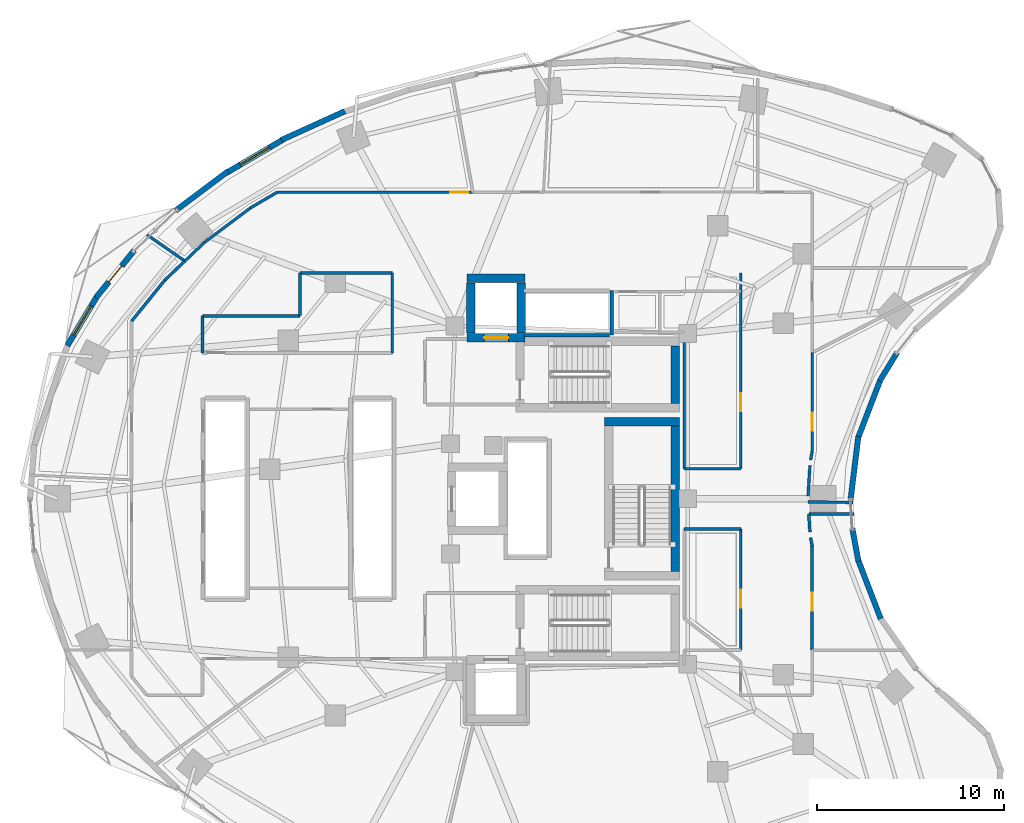
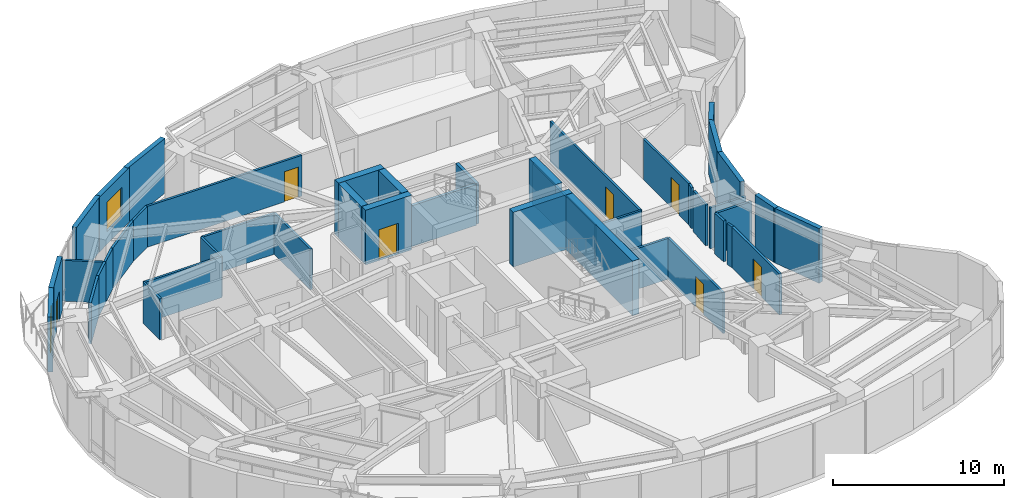
# One storey, part 10 of 15: 44 walls, 7 doors, 2 windows, 9 openings.
"""IFC4 building model written with IfcOpenShell, lengths in metres."""

from ifc_helpers import new_model, si_unit, direction, frame, frame_2d, origin, place, context, subcontext, project, spatial, rectangle, extrude, material, layer, layer_set, type_object, element, fill, save


model = new_model("IFC4")

# Units and contexts
model_context = context("Model", 3, precision=1e-05, world=origin(), true_north=direction((0.0, 1.0)))
body_context = subcontext(model_context, "Body", "Model", "MODEL_VIEW")
ifc_project = project(units=[si_unit("LENGTHUNIT", "METRE"), si_unit("AREAUNIT", "SQUARE_METRE"), si_unit("VOLUMEUNIT", "CUBIC_METRE"), si_unit("PLANEANGLEUNIT", "RADIAN"), si_unit("MASSUNIT", "GRAM", prefix="KILO")], contexts=[model_context])

# Site, building, storey
site_placement = place(None, origin())
site = spatial("IfcSite", under=ifc_project, at=site_placement, CompositionType="ELEMENT")
building_placement = place(site_placement, origin())
building = spatial("IfcBuilding", under=site, at=building_placement, Name="Korentha Bioscience Tower", CompositionType="ELEMENT")
storey_placement = place(building_placement, frame((0.0, 0.0, 30.0)))
storey = spatial("IfcBuildingStorey", under=building, at=storey_placement, Name="L06", CompositionType="ELEMENT", Elevation=30.0)

# Wall, opening, door
ifc_material_1 = material(Name="Double-Stud Acoustic Gypsum", Category="gypsum")
ifc_layer_1 = layer(ifc_material_1, 0.14990234375, Name="Double-Stud Acoustic Gypsum")
ifc_layer_set_1 = layer_set([ifc_layer_1], Name="Double-Stud Acoustic Gypsum (IW-L150)")
wall_type_1 = type_object("IfcWallType", Name="Acoustic Laboratory Partition Wall 150", PredefinedType="PARTITIONING", material=ifc_layer_set_1)
wall_1_placement = place(storey_placement, frame((40.389892578125, 25.389892578125, 0.0), z_axis=(0.0, 0.0, 1.0), x_axis=(0.0, -1.0, 0.0)))
wall_1 = element("IfcWall", 1, at=wall_1_placement, inside=storey, type_object=wall_type_1, Name="L06 Terrace View Refreshment Lounge 06 Entrance Wall", PredefinedType="PARTITIONING", context=body_context, shape_type="SweptSolid", body=[
    extrude(rectangle(XDim=6.48779296875, YDim=0.14990234375, at=frame_2d((3.243896484375, 0.0))), origin(), (0.0, 0.0, 1.0), 2.909912109375),
])
opening_1_placement = place(wall_1_placement, frame((3.265380859375, 0.0, 0.0)))
opening_1 = element("IfcOpeningElement", 2, at=opening_1_placement, cuts=wall_1, Name="Opening ID-10R", PredefinedType="OPENING", context=body_context, shape_type="SweptSolid", body=[
    extrude(rectangle(XDim=0.949951171875, YDim=2.14990234375, at=frame_2d((0.47509765625, 1.074951171875))), frame((0.0, 0.08984375, 0.0), z_axis=(0.0, -1.0, 0.0), x_axis=(1.0, 0.0, 0.0)), (0.0, 0.0, 1.0), 0.1796875),
])
ifc_material_2 = material(Name="Phenolic Laminate Timber Core", Category="wood")
door_type_1 = type_object("IfcDoorType", Name="Laboratory Single Leaf Door 950x2150 Right", OperationType="SINGLE_SWING_RIGHT", PredefinedType="DOOR", material=ifc_material_2)
door_1_placement = place(opening_1_placement, origin())
door_1 = element("IfcDoor", 3, at=door_1_placement, inside=storey, type_object=door_type_1, Name="L06 Terrace View Refreshment Lounge 06 Door", OperationType="SINGLE_SWING_RIGHT", OverallHeight=2.14990234375, OverallWidth=0.949951171875, PredefinedType="DOOR", context=body_context, shape_type="SweptSolid", body=[
    extrude(rectangle(XDim=0.949951171875, YDim=2.14990234375, at=frame_2d((0.47509765625, 1.074951171875))), frame((0.0, 0.02490234375, 0.0), z_axis=(0.0, -1.0, 0.0), x_axis=(1.0, 0.0, 0.0)), (0.0, 0.0, 1.0), 0.050048828125),
])
fill(opening_1, door_1)

wall_2_placement = place(storey_placement, frame((44.2099609375, 29.529541015625, 0.0), z_axis=(0.0, 0.0, 1.0), x_axis=(0.0, 1.0, 0.0)))
wall_2 = element("IfcWall", 4, at=wall_2_placement, inside=storey, type_object=wall_type_1, Name="L06 Engineered Bio-Foundry Wet Lab 08 Entrance Wall", PredefinedType="PARTITIONING", context=body_context, shape_type="SweptSolid", body=[
    extrude(rectangle(XDim=5.2890625, YDim=0.14990234375, at=frame_2d((2.64453125, 0.0))), origin(), (0.0, 0.0, 1.0), 2.909912109375),
])
opening_2_placement = place(wall_2_placement, frame((1.11865234375, 0.0, 0.0)))
opening_2 = element("IfcOpeningElement", 5, at=opening_2_placement, cuts=wall_2, Name="Opening ID-10R", PredefinedType="OPENING", context=body_context, shape_type="SweptSolid", body=[
    extrude(rectangle(XDim=0.949951171875, YDim=2.14990234375, at=frame_2d((0.47509765625, 1.074951171875))), frame((0.0, 0.08984375, 0.0), z_axis=(0.0, -1.0, 0.0), x_axis=(1.0, 0.0, 0.0)), (0.0, 0.0, 1.0), 0.1796875),
])
door_2_placement = place(opening_2_placement, origin())
door_2 = element("IfcDoor", 6, at=door_2_placement, inside=storey, type_object=door_type_1, Name="L06 Engineered Bio-Foundry Wet Lab 08 Door", OperationType="SINGLE_SWING_RIGHT", OverallHeight=2.14990234375, OverallWidth=0.949951171875, PredefinedType="DOOR", context=body_context, shape_type="SweptSolid", body=[
    extrude(rectangle(XDim=0.949951171875, YDim=2.14990234375, at=frame_2d((0.47509765625, 1.074951171875))), frame((0.0, 0.02490234375, 0.0), z_axis=(0.0, -1.0, 0.0), x_axis=(1.0, 0.0, 0.0)), (0.0, 0.0, 1.0), 0.050048828125),
])
fill(opening_2, door_2)

wall_3_placement = place(storey_placement, frame((26.0380859375, 43.409912109375, 0.0), z_axis=(0.0, 0.0, 1.0), x_axis=(-1.0, 0.0, 0.0)))
wall_3 = element("IfcWall", 7, at=wall_3_placement, inside=storey, type_object=wall_type_1, Name="L06 Ethics and Biosafety Briefing Room 14 Entrance Wall", PredefinedType="PARTITIONING", context=body_context, shape_type="SweptSolid", body=[
    extrude(rectangle(XDim=10.447265625, YDim=0.14990234375, at=frame_2d((5.2236328125, 0.0))), origin(), (0.0, 0.0, 1.0), 2.909912109375),
])
opening_3_placement = place(wall_3_placement, frame((0.239990234375, 0.0, 0.0)))
opening_3 = element("IfcOpeningElement", 8, at=opening_3_placement, cuts=wall_3, Name="Opening ID-10R", PredefinedType="OPENING", context=body_context, shape_type="SweptSolid", body=[
    extrude(rectangle(XDim=0.949951171875, YDim=2.14990234375, at=frame_2d((0.47509765625, 1.074951171875))), frame((0.0, 0.08984375, 0.0), z_axis=(0.0, -1.0, 0.0), x_axis=(1.0, 0.0, 0.0)), (0.0, 0.0, 1.0), 0.1796875),
])
door_3_placement = place(opening_3_placement, origin())
door_3 = element("IfcDoor", 9, at=door_3_placement, inside=storey, type_object=door_type_1, Name="L06 Ethics and Biosafety Briefing Room 14 Door", OperationType="SINGLE_SWING_RIGHT", OverallHeight=2.14990234375, OverallWidth=0.949951171875, PredefinedType="DOOR", context=body_context, shape_type="SweptSolid", body=[
    extrude(rectangle(XDim=0.949951171875, YDim=2.14990234375, at=frame_2d((0.47509765625, 1.074951171875))), frame((0.0, 0.02490234375, 0.0), z_axis=(0.0, -1.0, 0.0), x_axis=(1.0, 0.0, 0.0)), (0.0, 0.0, 1.0), 0.050048828125),
])
fill(opening_3, door_3)

# Walls
wall_4_placement = place(storey_placement, frame((37.360107421875, 25.389892578125, 0.0), z_axis=(0.0, 0.0, 1.0), x_axis=(1.0, 0.0, 0.0)))
element("IfcWall", 10, at=wall_4_placement, inside=storey, type_object=wall_type_1, Name="L06 Interior Partition 042", PredefinedType="PARTITIONING", context=body_context, shape_type="SweptSolid", body=[
    extrude(rectangle(XDim=3.02978515625, YDim=0.14990234375, at=frame_2d((1.514892578125, 0.0))), origin(), (0.0, 0.0, 1.0), 2.909912109375),
])
wall_5_placement = place(storey_placement, frame((46.40673828125, 26.806396484375, 0.0), z_axis=(0.0, 0.0, 1.0), x_axis=(-0.999937073851, 0.011218214594, 0.0)))
element("IfcWall", 11, at=wall_5_placement, inside=storey, type_object=wall_type_1, Name="L06 Interior Partition 047", PredefinedType="PARTITIONING", context=body_context, shape_type="SweptSolid", body=[
    extrude(rectangle(XDim=2.415771484375, YDim=0.14990234375, at=frame_2d((1.2080078125, 0.0))), origin(), (0.0, 0.0, 1.0), 2.909912109375),
])
wall_6_placement = place(storey_placement, frame((43.990234375, 27.1484375, 0.0), z_axis=(0.0, 0.0, 1.0), x_axis=(0.060976688407, 0.998139190429, 0.0)))
element("IfcWall", 12, at=wall_6_placement, inside=storey, type_object=wall_type_1, Name="L06 Interior Partition 048", PredefinedType="PARTITIONING", context=body_context, shape_type="SweptSolid", body=[
    extrude(rectangle(XDim=1.637451171875, YDim=0.14990234375, at=frame_2d((0.81884765625, 0.0))), origin(), (0.0, 0.0, 1.0), 2.909912109375),
])
wall_7_placement = place(storey_placement, frame((44.12646484375, 29.077880859375, 0.0), z_axis=(0.0, 0.0, 1.0), x_axis=(0.181936414242, 0.983310297502, 0.0)))
element("IfcWall", 13, at=wall_7_placement, inside=storey, type_object=wall_type_1, Name="L06 Interior Partition 049", PredefinedType="PARTITIONING", context=body_context, shape_type="SweptSolid", body=[
    extrude(rectangle(XDim=0.45751953125, YDim=0.14990234375, at=frame_2d((0.228759765625, 0.0))), origin(), (0.0, 0.0, 1.0), 2.909912109375),
])
wall_8_placement = place(storey_placement, frame((15.585693359375, 43.40869140625, 0.0), z_axis=(0.0, 0.0, 1.0), x_axis=(-0.862446636904, -0.506148000582, 0.0)))
element("IfcWall", 14, at=wall_8_placement, inside=storey, type_object=wall_type_1, Name="L06 Interior Partition 062", PredefinedType="PARTITIONING", context=body_context, shape_type="SweptSolid", body=[
    extrude(rectangle(XDim=1.652099609375, YDim=0.14990234375, at=frame_2d((0.826171875, 0.0))), origin(), (0.0, 0.0, 1.0), 2.909912109375),
])
wall_9_placement = place(storey_placement, frame((14.159912109375, 42.57177734375, 0.0), z_axis=(0.0, 0.0, 1.0), x_axis=(-0.800808090092, -0.598921032227, 0.0)))
element("IfcWall", 15, at=wall_9_placement, inside=storey, type_object=wall_type_1, Name="L06 Interior Partition 063", PredefinedType="PARTITIONING", context=body_context, shape_type="SweptSolid", body=[
    extrude(rectangle(XDim=3.078857421875, YDim=0.14990234375, at=frame_2d((1.53955078125, 0.0))), origin(), (0.0, 0.0, 1.0), 2.909912109375),
])
wall_10_placement = place(storey_placement, frame((11.693359375, 40.72705078125, 0.0), z_axis=(0.0, 0.0, 1.0), x_axis=(-0.723614682185, -0.690204166697, 0.0)))
element("IfcWall", 16, at=wall_10_placement, inside=storey, type_object=wall_type_1, Name="L06 Interior Partition 064", PredefinedType="PARTITIONING", context=body_context, shape_type="SweptSolid", body=[
    extrude(rectangle(XDim=1.4541015625, YDim=0.14990234375, at=frame_2d((0.72705078125, 0.0))), origin(), (0.0, 0.0, 1.0), 2.909912109375),
])
wall_11_placement = place(storey_placement, frame((10.64111328125, 39.723388671875, 0.0), z_axis=(0.0, 0.0, 1.0), x_axis=(-0.821561492386, 0.570119912149, 0.0)))
element("IfcWall", 17, at=wall_11_placement, inside=storey, type_object=wall_type_1, Name="L06 Interior Partition 065", PredefinedType="PARTITIONING", context=body_context, shape_type="SweptSolid", body=[
    extrude(rectangle(XDim=2.45458984375, YDim=0.14990234375, at=frame_2d((1.227294921875, 0.0))), origin(), (0.0, 0.0, 1.0), 2.909912109375),
])
wall_12_placement = place(storey_placement, frame((16.81005859375, 39.090087890625, 0.0), z_axis=(0.0, 0.0, 1.0), x_axis=(1.0, 0.0, 0.0)))
element("IfcWall", 18, at=wall_12_placement, inside=storey, type_object=wall_type_1, Name="L06 Interior Partition 066", PredefinedType="PARTITIONING", context=body_context, shape_type="SweptSolid", body=[
    extrude(rectangle(XDim=4.929931640625, YDim=0.14990234375, at=frame_2d((2.46484375, 0.0))), origin(), (0.0, 0.0, 1.0), 2.909912109375),
])
wall_13_placement = place(storey_placement, frame((21.739990234375, 39.090087890625, 0.0), z_axis=(0.0, 0.0, 1.0), x_axis=(0.0, -1.0, 0.0)))
element("IfcWall", 19, at=wall_13_placement, inside=storey, type_object=wall_type_1, Name="L06 Interior Partition 067", PredefinedType="PARTITIONING", context=body_context, shape_type="SweptSolid", body=[
    extrude(rectangle(XDim=4.280029296875, YDim=0.14990234375, at=frame_2d((2.14013671875, 0.0))), origin(), (0.0, 0.0, 1.0), 2.909912109375),
])
wall_14_placement = place(storey_placement, frame((11.590087890625, 34.81005859375, 0.0), z_axis=(0.0, 0.0, 1.0), x_axis=(0.0, 1.0, 0.0)))
element("IfcWall", 20, at=wall_14_placement, inside=storey, type_object=wall_type_1, Name="L06 Interior Partition 068", PredefinedType="PARTITIONING", context=body_context, shape_type="SweptSolid", body=[
    extrude(rectangle(XDim=1.97998046875, YDim=0.14990234375, at=frame_2d((0.989990234375, 0.0))), origin(), (0.0, 0.0, 1.0), 2.909912109375),
])
wall_15_placement = place(storey_placement, frame((11.590087890625, 36.7900390625, 0.0), z_axis=(0.0, 0.0, 1.0), x_axis=(1.0, 0.0, 0.0)))
element("IfcWall", 21, at=wall_15_placement, inside=storey, type_object=wall_type_1, Name="L06 Interior Partition 069", PredefinedType="PARTITIONING", context=body_context, shape_type="SweptSolid", body=[
    extrude(rectangle(XDim=5.2099609375, YDim=0.14990234375, at=frame_2d((2.60498046875, 0.0))), origin(), (0.0, 0.0, 1.0), 2.909912109375),
])
wall_16_placement = place(storey_placement, frame((16.81005859375, 36.800048828125, 0.0), z_axis=(0.0, 0.0, 1.0), x_axis=(0.0, 1.0, 0.0)))
element("IfcWall", 22, at=wall_16_placement, inside=storey, type_object=wall_type_1, Name="L06 Interior Partition 070", PredefinedType="PARTITIONING", context=body_context, shape_type="SweptSolid", body=[
    extrude(rectangle(XDim=2.2900390625, YDim=0.14990234375, at=frame_2d((1.14501953125, 0.0))), origin(), (0.0, 0.0, 1.0), 2.909912109375),
])

# Wall, opening, door
ifc_material_3 = material(Name="Insulated Aluminium Honeycomb Panel", Category="aluminium")
ifc_layer_2 = layer(ifc_material_3, 0.139892578125, Name="Insulated Aluminium Honeycomb Panel")
ifc_layer_set_2 = layer_set([ifc_layer_2], Name="Insulated Aluminium Honeycomb Panel (IW-F60)")
wall_type_2 = type_object("IfcWallType", Name="Cleanroom Flush Metal Panel Partition 140", PredefinedType="PARTITIONING", material=ifc_layer_set_2)
wall_17_placement = place(storey_placement, frame((40.389892578125, 39.090087890625, 0.0), z_axis=(0.0, 0.0, 1.0), x_axis=(0.0, -1.0, 0.0)))
wall_17 = element("IfcWall", 23, at=wall_17_placement, inside=storey, type_object=wall_type_2, Name="L06 Microfluidics Biochip Cleanroom 10 Entrance Wall", PredefinedType="PARTITIONING", context=body_context, shape_type="SweptSolid", body=[
    extrude(rectangle(XDim=10.47998046875, YDim=0.139892578125, at=frame_2d((5.239990234375, 0.0))), origin(), (0.0, 0.0, 1.0), 2.909912109375),
])
opening_4_placement = place(wall_17_placement, frame((6.447265625, 0.0, 0.0)))
opening_4 = element("IfcOpeningElement", 24, at=opening_4_placement, cuts=wall_17, Name="Opening ID-10R", PredefinedType="OPENING", context=body_context, shape_type="SweptSolid", body=[
    extrude(rectangle(XDim=0.949951171875, YDim=2.14990234375, at=frame_2d((0.47509765625, 1.074951171875))), frame((0.0, 0.0849609375, 0.0), z_axis=(0.0, -1.0, 0.0), x_axis=(1.0, 0.0, 0.0)), (0.0, 0.0, 1.0), 0.169677734375),
])
door_4_placement = place(opening_4_placement, origin())
door_4 = element("IfcDoor", 25, at=door_4_placement, inside=storey, type_object=door_type_1, Name="L06 Microfluidics Biochip Cleanroom 10 Door", OperationType="SINGLE_SWING_RIGHT", OverallHeight=2.14990234375, OverallWidth=0.949951171875, PredefinedType="DOOR", context=body_context, shape_type="SweptSolid", body=[
    extrude(rectangle(XDim=0.949951171875, YDim=2.14990234375, at=frame_2d((0.47509765625, 1.074951171875))), frame((0.0, 0.02490234375, 0.0), z_axis=(0.0, -1.0, 0.0), x_axis=(1.0, 0.0, 0.0)), (0.0, 0.0, 1.0), 0.050048828125),
])
fill(opening_4, door_4)

# Walls
wall_18_placement = place(storey_placement, frame((40.389892578125, 28.610107421875, 0.0), z_axis=(0.0, 0.0, 1.0), x_axis=(-1.0, 0.0, 0.0)))
element("IfcWall", 26, at=wall_18_placement, inside=storey, type_object=wall_type_2, Name="L06 Interior Partition 055", PredefinedType="PARTITIONING", context=body_context, shape_type="SweptSolid", body=[
    extrude(rectangle(XDim=3.02978515625, YDim=0.139892578125, at=frame_2d((1.514892578125, 0.0))), origin(), (0.0, 0.0, 1.0), 2.909912109375),
])
wall_19_placement = place(storey_placement, frame((37.360107421875, 28.610107421875, 0.0), z_axis=(0.0, 0.0, 1.0), x_axis=(0.0, 1.0, 0.0)))
element("IfcWall", 27, at=wall_19_placement, inside=storey, type_object=wall_type_2, Name="L06 Interior Partition 056", PredefinedType="PARTITIONING", context=body_context, shape_type="SweptSolid", body=[
    extrude(rectangle(XDim=7.289794921875, YDim=0.139892578125, at=frame_2d((3.64501953125, 0.0))), origin(), (0.0, 0.0, 1.0), 2.909912109375),
])

# Wall, opening, door
ifc_material_4 = material(Name="Gypsum-Clad Steel Stud", Category="steel")
ifc_layer_3 = layer(ifc_material_4, 0.159912109375, Name="Gypsum-Clad Steel Stud")
ifc_layer_set_3 = layer_set([ifc_layer_3], Name="Gypsum-Clad Steel Stud (IW-C160)")
wall_type_3 = type_object("IfcWallType", Name="Fire-Rated Corridor Partition Wall 160", PredefinedType="PARTITIONING", material=ifc_layer_set_3)
wall_20_placement = place(storey_placement, frame((44.2099609375, 18.907958984375, 0.0), z_axis=(0.0, 0.0, 1.0), x_axis=(0.0, 1.0, 0.0)))
wall_20 = element("IfcWall", 28, at=wall_20_placement, inside=storey, type_object=wall_type_3, Name="L06 Instrument Calibration Workshop 07 Entrance Wall", PredefinedType="PARTITIONING", context=body_context, shape_type="SweptSolid", body=[
    extrude(rectangle(XDim=5.5625, YDim=0.159912109375, at=frame_2d((2.78125, 0.0))), origin(), (0.0, 0.0, 1.0), 2.909912109375),
])
opening_5_placement = place(wall_20_placement, frame((2.11376953125, 0.0, 0.0)))
opening_5 = element("IfcOpeningElement", 29, at=opening_5_placement, cuts=wall_20, Name="Opening ID-10L", PredefinedType="OPENING", context=body_context, shape_type="SweptSolid", body=[
    extrude(rectangle(XDim=0.949951171875, YDim=2.14990234375, at=frame_2d((0.47509765625, 1.074951171875))), frame((0.0, 0.0947265625, 0.0), z_axis=(0.0, -1.0, 0.0), x_axis=(1.0, 0.0, 0.0)), (0.0, 0.0, 1.0), 0.189697265625),
])
door_type_2 = type_object("IfcDoorType", Name="Laboratory Single Leaf Door 950x2150 Left", OperationType="SINGLE_SWING_LEFT", PredefinedType="DOOR", material=ifc_material_2)
door_5_placement = place(opening_5_placement, origin())
door_5 = element("IfcDoor", 30, at=door_5_placement, inside=storey, type_object=door_type_2, Name="L06 Instrument Calibration Workshop 07 Door", OperationType="SINGLE_SWING_LEFT", OverallHeight=2.14990234375, OverallWidth=0.949951171875, PredefinedType="DOOR", context=body_context, shape_type="SweptSolid", body=[
    extrude(rectangle(XDim=0.949951171875, YDim=2.14990234375, at=frame_2d((0.47509765625, 1.074951171875))), frame((0.0, 0.02490234375, 0.0), z_axis=(0.0, -1.0, 0.0), x_axis=(1.0, 0.0, 0.0)), (0.0, 0.0, 1.0), 0.050048828125),
])
fill(opening_5, door_5)

# Walls
wall_21_placement = place(storey_placement, frame((44.209716796875, 24.47216796875, 0.0), z_axis=(0.0, 0.0, 1.0), x_axis=(-0.181936414242, 0.983310297502, 0.0)))
element("IfcWall", 31, at=wall_21_placement, inside=storey, type_object=wall_type_3, Name="L06 Interior Partition 044", PredefinedType="PARTITIONING", context=body_context, shape_type="SweptSolid", body=[
    extrude(rectangle(XDim=0.45751953125, YDim=0.159912109375, at=frame_2d((0.228759765625, 0.0))), origin(), (0.0, 0.0, 1.0), 2.909912109375),
])
wall_22_placement = place(storey_placement, frame((44.090087890625, 25.217041015625, 0.0), z_axis=(0.0, 0.0, 1.0), x_axis=(-0.060862570451, 0.998146155389, 0.0)))
element("IfcWall", 32, at=wall_22_placement, inside=storey, type_object=wall_type_3, Name="L06 Interior Partition 045", PredefinedType="PARTITIONING", context=body_context, shape_type="SweptSolid", body=[
    extrude(rectangle(XDim=0.982666015625, YDim=0.159912109375, at=frame_2d((0.4912109375, 0.0))), origin(), (0.0, 0.0, 1.0), 2.909912109375),
])
wall_23_placement = place(storey_placement, frame((44.0302734375, 26.197998046875, 0.0), z_axis=(0.0, 0.0, 1.0), x_axis=(1.0, 0.0, 0.0)))
element("IfcWall", 33, at=wall_23_placement, inside=storey, type_object=wall_type_3, Name="L06 Interior Partition 046", PredefinedType="PARTITIONING", context=body_context, shape_type="SweptSolid", body=[
    extrude(rectangle(XDim=2.413818359375, YDim=0.159912109375, at=frame_2d((1.20703125, 0.0))), origin(), (0.0, 0.0, 1.0), 2.909912109375),
])
wall_24_placement = place(storey_placement, frame((10.6337890625, 39.716552734375, 0.0), z_axis=(0.0, 0.0, 1.0), x_axis=(-0.723701031319, -0.690113626345, 0.0)))
element("IfcWall", 34, at=wall_24_placement, inside=storey, type_object=wall_type_3, Name="L06 Interior Partition 071", PredefinedType="PARTITIONING", context=body_context, shape_type="SweptSolid", body=[
    extrude(rectangle(XDim=1.4755859375, YDim=0.159912109375, at=frame_2d((0.73779296875, 0.0))), origin(), (0.0, 0.0, 1.0), 2.909912109375),
])
wall_25_placement = place(storey_placement, frame((9.565185546875, 38.697265625, 0.0), z_axis=(0.0, 0.0, 1.0), x_axis=(-0.629270515505, -0.777186347227, 0.0)))
element("IfcWall", 35, at=wall_25_placement, inside=storey, type_object=wall_type_3, Name="L06 Interior Partition 072", PredefinedType="PARTITIONING", context=body_context, shape_type="SweptSolid", body=[
    extrude(rectangle(XDim=2.8173828125, YDim=0.159912109375, at=frame_2d((1.40869140625, 0.0))), origin(), (0.0, 0.0, 1.0), 2.909912109375),
])

# Wall, opening, window
ifc_material_5 = material(Name="Honed Limestone Precast Concrete C40", Category="masonry")
ifc_layer_4 = layer(ifc_material_5, 0.300048828125, Name="Honed Limestone Precast Concrete C40")
ifc_layer_set_4 = layer_set([ifc_layer_4], Name="Honed Limestone Precast Concrete C40 (EW-ST300)")
wall_type_4 = type_object("IfcWallType", Name="Honed Limestone Cavity Spandrel Wall 300", PredefinedType="STANDARD", material=ifc_layer_set_4)
wall_26_placement = place(storey_placement, frame((15.943603515625, 46.25048828125, 0.0), z_axis=(0.0, 0.0, 1.0), x_axis=(-0.862473134325, -0.506102847817, 0.0)))
wall_26 = element("IfcWall", 36, at=wall_26_placement, inside=storey, type_object=wall_type_4, Name="L06 Honed Limestone Spandrel Wall 11", PredefinedType="STANDARD", context=body_context, shape_type="SweptSolid", body=[
    extrude(rectangle(XDim=3.59521484375, YDim=0.300048828125, at=frame_2d((1.797607421875, 0.0))), origin(), (0.0, 0.0, 1.0), 3.89990234375),
])
opening_6_placement = place(wall_26_placement, frame((0.897705078125, 0.0, 0.89990234375)))
opening_6 = element("IfcOpeningElement", 37, at=opening_6_placement, cuts=wall_26, Name="Opening WN-01", PredefinedType="OPENING", context=body_context, shape_type="SweptSolid", body=[
    extrude(rectangle(XDim=1.800048828125, YDim=2.10009765625, at=frame_2d((0.89990234375, 1.050048828125))), frame((0.0, 0.1650390625, 0.0), z_axis=(0.0, -1.0, 0.0), x_axis=(1.0, 0.0, 0.0)), (0.0, 0.0, 1.0), 0.329833984375),
])
ifc_material_6 = material(Name="Thermally Broken Aluminium Triple Glazing", Category="aluminium")
window_type = type_object("IfcWindowType", Name="Triple-Glazed Fixed Bioscience Window 1800x2100", PartitioningType="SINGLE_PANEL", PredefinedType="WINDOW", material=ifc_material_6)
window_1_placement = place(opening_6_placement, origin())
window_1 = element("IfcWindow", 38, at=window_1_placement, inside=storey, type_object=window_type, Name="L06 Facade Window 11", OverallHeight=2.10009765625, OverallWidth=1.800048828125, PartitioningType="SINGLE_PANEL", PredefinedType="WINDOW", context=body_context, shape_type="SweptSolid", body=[
    extrude(rectangle(XDim=1.800048828125, YDim=2.10009765625, at=frame_2d((0.89990234375, 1.050048828125))), frame((0.0, 0.030029296875, 0.0), z_axis=(0.0, -1.0, 0.0), x_axis=(1.0, 0.0, 0.0)), (0.0, 0.0, 1.0), 0.06005859375),
])
fill(opening_6, window_1)

# Wall, opening, door
wall_27_placement = place(storey_placement, frame((7.9375, 40.294189453125, 0.0), z_axis=(0.0, 0.0, 1.0), x_axis=(-0.629295540187, -0.777166084631, 0.0)))
wall_27 = element("IfcWall", 39, at=wall_27_placement, inside=storey, type_object=wall_type_4, Name="L06 Balcony Threshold Wall 02", PredefinedType="STANDARD", context=body_context, shape_type="SweptSolid", body=[
    extrude(rectangle(XDim=3.24755859375, YDim=0.300048828125, at=frame_2d((1.623779296875, 0.0))), origin(), (0.0, 0.0, 1.0), 3.89990234375),
])
opening_7_placement = place(wall_27_placement, frame((1.07373046875, 0.0, 0.0)))
opening_7 = element("IfcOpeningElement", 40, at=opening_7_placement, cuts=wall_27, Name="Opening BD-11R", PredefinedType="OPENING", context=body_context, shape_type="SweptSolid", body=[
    extrude(rectangle(XDim=1.10009765625, YDim=2.14990234375, at=frame_2d((0.550048828125, 1.074951171875))), frame((0.0, 0.1650390625, 0.0), z_axis=(0.0, -1.0, 0.0), x_axis=(1.0, 0.0, 0.0)), (0.0, 0.0, 1.0), 0.329833984375),
])
ifc_material_7 = material(Name="Thermally Broken Glazed Aluminium", Category="aluminium")
door_type_3 = type_object("IfcDoorType", Name="Balcony Terrace Glazed Door 1100x2150 Right", OperationType="SINGLE_SWING_RIGHT", PredefinedType="DOOR", material=ifc_material_7)
door_6_placement = place(opening_7_placement, origin())
door_6 = element("IfcDoor", 41, at=door_6_placement, inside=storey, type_object=door_type_3, Name="L06 Balcony Access Door 02", OperationType="SINGLE_SWING_RIGHT", OverallHeight=2.14990234375, OverallWidth=1.10009765625, PredefinedType="DOOR", context=body_context, shape_type="SweptSolid", body=[
    extrude(rectangle(XDim=1.10009765625, YDim=2.14990234375, at=frame_2d((0.550048828125, 1.074951171875))), frame((0.0, 0.02490234375, 0.0), z_axis=(0.0, -1.0, 0.0), x_axis=(1.0, 0.0, 0.0)), (0.0, 0.0, 1.0), 0.050048828125),
])
fill(opening_7, door_6)

# Wall, opening, window
wall_28_placement = place(storey_placement, frame((5.975341796875, 37.886474609375, 0.0), z_axis=(0.0, 0.0, 1.0), x_axis=(-0.516447962267, -0.856318575222, 0.0)))
wall_28 = element("IfcWall", 42, at=wall_28_placement, inside=storey, type_object=wall_type_4, Name="L06 Honed Limestone Spandrel Wall 15", PredefinedType="STANDARD", context=body_context, shape_type="SweptSolid", body=[
    extrude(rectangle(XDim=3.142822265625, YDim=0.300048828125, at=frame_2d((1.5712890625, 0.0))), origin(), (0.0, 0.0, 1.0), 3.89990234375),
])
opening_8_placement = place(wall_28_placement, frame((0.67138671875, 0.0, 0.89990234375)))
opening_8 = element("IfcOpeningElement", 43, at=opening_8_placement, cuts=wall_28, Name="Opening WN-01", PredefinedType="OPENING", context=body_context, shape_type="SweptSolid", body=[
    extrude(rectangle(XDim=1.800048828125, YDim=2.10009765625, at=frame_2d((0.89990234375, 1.050048828125))), frame((0.0, 0.1650390625, 0.0), z_axis=(0.0, -1.0, 0.0), x_axis=(1.0, 0.0, 0.0)), (0.0, 0.0, 1.0), 0.329833984375),
])
window_2_placement = place(opening_8_placement, origin())
window_2 = element("IfcWindow", 44, at=window_2_placement, inside=storey, type_object=window_type, Name="L06 Facade Window 15", OverallHeight=2.10009765625, OverallWidth=1.800048828125, PartitioningType="SINGLE_PANEL", PredefinedType="WINDOW", context=body_context, shape_type="SweptSolid", body=[
    extrude(rectangle(XDim=1.800048828125, YDim=2.10009765625, at=frame_2d((0.89990234375, 1.050048828125))), frame((0.0, 0.030029296875, 0.0), z_axis=(0.0, -1.0, 0.0), x_axis=(1.0, 0.0, 0.0)), (0.0, 0.0, 1.0), 0.06005859375),
])
fill(opening_8, window_2)

# Walls
wall_29_placement = place(storey_placement, frame((19.201416015625, 47.7431640625, 0.0), z_axis=(0.0, 0.0, 1.0), x_axis=(-0.910623406862, -0.413237233166, 0.0)))
element("IfcWall", 45, at=wall_29_placement, inside=storey, type_object=wall_type_4, Name="L06 Limestone Perimeter Closure Wall 10", PredefinedType="STANDARD", context=body_context, shape_type="SweptSolid", body=[
    extrude(rectangle(XDim=3.73974609375, YDim=0.300048828125, at=frame_2d((1.869873046875, 0.0))), origin(), (0.0, 0.0, 1.0), 3.89990234375),
])
wall_30_placement = place(storey_placement, frame((12.96142578125, 44.53515625, 0.0), z_axis=(0.0, 0.0, 1.0), x_axis=(-0.800823020995, -0.598901067827, 0.0)))
element("IfcWall", 46, at=wall_30_placement, inside=storey, type_object=wall_type_4, Name="L06 Limestone Perimeter Closure Wall 12", PredefinedType="STANDARD", context=body_context, shape_type="SweptSolid", body=[
    extrude(rectangle(XDim=3.520751953125, YDim=0.300048828125, at=frame_2d((1.76025390625, 0.0))), origin(), (0.0, 0.0, 1.0), 3.89990234375),
])
wall_31_placement = place(storey_placement, frame((47.8837890625, 20.577392578125, 0.0), z_axis=(0.0, 0.0, 1.0), x_axis=(-0.358344570513, 0.933589400531, 0.0)))
element("IfcWall", 47, at=wall_31_placement, inside=storey, type_object=wall_type_4, Name="L06 Limestone Perimeter Closure Wall 46", PredefinedType="STANDARD", context=body_context, shape_type="SweptSolid", body=[
    extrude(rectangle(XDim=3.4296875, YDim=0.300048828125, at=frame_2d((1.71484375, 0.0))), origin(), (0.0, 0.0, 1.0), 3.89990234375),
])
wall_32_placement = place(storey_placement, frame((46.691162109375, 23.650390625, 0.0), z_axis=(0.0, 0.0, 1.0), x_axis=(-0.182230271073, 0.983255881399, 0.0)))
element("IfcWall", 48, at=wall_32_placement, inside=storey, type_object=wall_type_4, Name="L06 Limestone Perimeter Closure Wall 48", PredefinedType="STANDARD", context=body_context, shape_type="SweptSolid", body=[
    extrude(rectangle(XDim=1.7978515625, YDim=0.300048828125, at=frame_2d((0.89892578125, 0.0))), origin(), (0.0, 0.0, 1.0), 3.89990234375),
])
for number, where, z_axis, x_axis, name in (
    (49, (46.26708984375, 26.937744140625, 0.0), (0.0, 0.0, 1.0), (0.121870386032, 0.992546023622, 0.0), "L06 Limestone Perimeter Closure Wall 50"),
    (50, (46.65478515625, 30.220703125, 0.0), (0.0, 0.0, 1.0), (0.358344570513, 0.933589400531, 0.0), "L06 Limestone Perimeter Closure Wall 52"),
):
    element("IfcWall", number, at=place(storey_placement, frame(where, z_axis=z_axis, x_axis=x_axis)), inside=storey, type_object=wall_type_4, Name=name, PredefinedType="STANDARD", context=body_context, shape_type="SweptSolid", body=[
        extrude(rectangle(XDim=3.4296875, YDim=0.300048828125, at=frame_2d((1.71484375, 0.0))), origin(), (0.0, 0.0, 1.0), 3.89990234375),
    ])
wall_33_placement = place(storey_placement, frame((47.82470703125, 33.302734375, 0.0), z_axis=(0.0, 0.0, 1.0), x_axis=(0.522520662875, 0.852626622191, 0.0)))
element("IfcWall", 51, at=wall_33_placement, inside=storey, type_object=wall_type_4, Name="L06 Limestone Perimeter Closure Wall 54", PredefinedType="STANDARD", context=body_context, shape_type="SweptSolid", body=[
    extrude(rectangle(XDim=1.7978515625, YDim=0.300048828125, at=frame_2d((0.89892578125, 0.0))), origin(), (0.0, 0.0, 1.0), 3.89990234375),
])
ifc_material_8 = material(Name="Autoclaved Aerated Concrete Block C25", Category="concrete")
ifc_layer_5 = layer(ifc_material_8, 0.199951171875, Name="Autoclaved Aerated Concrete Block C25")
ifc_layer_set_5 = layer_set([ifc_layer_5], Name="Autoclaved Aerated Concrete Block C25 (IW-S200)")
wall_type_5 = type_object("IfcWallType", Name="Lift and Riser Shaft Enclosure Wall 200", PredefinedType="PARTITIONING", material=ifc_layer_set_5)
wall_34_placement = place(storey_placement, frame((33.489990234375, 35.760009765625, 0.0), z_axis=(0.0, 0.0, 1.0), x_axis=(0.0, 1.0, 0.0)))
element("IfcWall", 52, at=wall_34_placement, inside=storey, type_object=wall_type_5, Name="L06 Lift Bank OBS Shaft Wall +X", PredefinedType="PARTITIONING", context=body_context, shape_type="SweptSolid", body=[
    extrude(rectangle(XDim=2.3798828125, YDim=0.199951171875, at=frame_2d((1.18994140625, 0.0))), origin(), (0.0, 0.0, 1.0), 2.909912109375),
])
wall_35_placement = place(storey_placement, frame((28.800048828125, 35.760009765625, 0.0), z_axis=(0.0, 0.0, 1.0), x_axis=(1.0, 0.0, 0.0)))
element("IfcWall", 53, at=wall_35_placement, inside=storey, type_object=wall_type_5, Name="L06 Lift Bank OBS Shaft Wall -Y", PredefinedType="PARTITIONING", context=body_context, shape_type="SweptSolid", body=[
    extrude(rectangle(XDim=4.570068359375, YDim=0.199951171875, at=frame_2d((2.28515625, 0.0))), origin(), (0.0, 0.0, 1.0), 2.909912109375),
])
ifc_material_9 = material(Name="Concrete C80", Category="concrete")
ifc_layer_6 = layer(ifc_material_9, 0.449951171875, Name="Concrete C80")
ifc_layer_set_6 = layer_set([ifc_layer_6], Name="Concrete C80 (CW-C80)")
wall_type_6 = type_object("IfcWallType", Name="Lower Core Shear Wall 450", PredefinedType="SHEAR", material=ifc_layer_set_6)
wall_36_placement = place(storey_placement, frame((36.875, 32.110107421875, 0.0), z_axis=(0.0, 0.0, 1.0), x_axis=(0.0, 1.0, 0.0)))
element("IfcWall", 54, at=wall_36_placement, inside=storey, type_object=wall_type_6, Name="L06 Core Shear Wall ST1-E", PredefinedType="SHEAR", context=body_context, shape_type="SweptSolid", body=[
    extrude(rectangle(XDim=3.079833984375, YDim=0.449951171875, at=frame_2d((1.5400390625, 0.0))), origin(), (0.0, 0.0, 1.0), 3.89990234375),
])
wall_37_placement = place(storey_placement, frame((33.10009765625, 31.125, 0.0), z_axis=(0.0, 0.0, 1.0), x_axis=(1.0, 0.0, 0.0)))
element("IfcWall", 55, at=wall_37_placement, inside=storey, type_object=wall_type_6, Name="L06 Core Shear Wall ST3-N", PredefinedType="SHEAR", context=body_context, shape_type="SweptSolid", body=[
    extrude(rectangle(XDim=4.0, YDim=0.449951171875, at=frame_2d((2.0, 0.0))), origin(), (0.0, 0.0, 1.0), 3.89990234375),
])
wall_38_placement = place(storey_placement, frame((36.875, 23.110107421875, 0.0), z_axis=(0.0, 0.0, 1.0), x_axis=(0.0, 1.0, 0.0)))
element("IfcWall", 56, at=wall_38_placement, inside=storey, type_object=wall_type_6, Name="L06 Core Shear Wall ST3-E", PredefinedType="SHEAR", context=body_context, shape_type="SweptSolid", body=[
    extrude(rectangle(XDim=7.77978515625, YDim=0.449951171875, at=frame_2d((3.889892578125, 0.0))), origin(), (0.0, 0.0, 1.0), 3.89990234375),
])
wall_39_placement = place(storey_placement, frame((25.75, 38.800048828125, 0.0), z_axis=(0.0, 0.0, 1.0), x_axis=(1.0, 0.0, 0.0)))
element("IfcWall", 57, at=wall_39_placement, inside=storey, type_object=wall_type_6, Name="L06 Core Shear Wall FFL2-N", PredefinedType="SHEAR", context=body_context, shape_type="SweptSolid", body=[
    extrude(rectangle(XDim=3.10009765625, YDim=0.449951171875, at=frame_2d((1.550048828125, 0.0))), origin(), (0.0, 0.0, 1.0), 3.89990234375),
])

# Wall, opening, door
wall_40_placement = place(storey_placement, frame((25.75, 35.6201171875, 0.0), z_axis=(0.0, 0.0, 1.0), x_axis=(1.0, 0.0, 0.0)))
wall_40 = element("IfcWall", 58, at=wall_40_placement, inside=storey, type_object=wall_type_6, Name="L06 Core Shear Wall FFL2-S", PredefinedType="SHEAR", context=body_context, shape_type="SweptSolid", body=[
    extrude(rectangle(XDim=3.10009765625, YDim=0.449951171875, at=frame_2d((1.550048828125, 0.0))), origin(), (0.0, 0.0, 1.0), 3.89990234375),
])
opening_9_placement = place(wall_40_placement, frame((0.89990234375, 0.0, 0.0)))
opening_9 = element("IfcOpeningElement", 59, at=opening_9_placement, cuts=wall_40, Name="Opening LD-13", PredefinedType="OPENING", context=body_context, shape_type="SweptSolid", body=[
    extrude(rectangle(XDim=1.300048828125, YDim=2.199951171875, at=frame_2d((0.64990234375, 1.10009765625))), frame((0.0, 0.23974609375, 0.0), z_axis=(0.0, -1.0, 0.0), x_axis=(1.0, 0.0, 0.0)), (0.0, 0.0, 1.0), 0.479736328125),
])
ifc_material_10 = material(Name="Brushed Stainless Steel 316", Category="steel")
door_type_4 = type_object("IfcDoorType", Name="Service & Firefighting Lift Landing Door 1300x2300", OperationType="DOUBLE_DOOR_SLIDING", PredefinedType="DOOR", material=ifc_material_10)
door_7_placement = place(opening_9_placement, origin())
door_7 = element("IfcDoor", 60, at=door_7_placement, inside=storey, type_object=door_type_4, Name="L06 FFL-2 Sliding Lift Landing Door", OperationType="DOUBLE_DOOR_SLIDING", OverallHeight=2.199951171875, OverallWidth=1.300048828125, PredefinedType="DOOR", context=body_context, shape_type="SweptSolid", body=[
    extrude(rectangle(XDim=1.300048828125, YDim=2.199951171875, at=frame_2d((0.64990234375, 1.10009765625))), frame((0.0, 0.02490234375, 0.0), z_axis=(0.0, -1.0, 0.0), x_axis=(1.0, 0.0, 0.0)), (0.0, 0.0, 1.0), 0.050048828125),
])
fill(opening_9, door_7)

# Walls
for number, where, z_axis, x_axis, name in (
    (61, (25.949951171875, 35.860107421875, 0.0), (0.0, 0.0, 1.0), (0.0, 1.0, 0.0), "L06 Core Shear Wall FFL2-W"),
    (62, (28.64990234375, 35.860107421875, 0.0), (0.0, 0.0, 1.0), (0.0, 1.0, 0.0), "L06 Core Shear Wall FFL2-E"),
):
    element("IfcWall", number, at=place(storey_placement, frame(where, z_axis=z_axis, x_axis=x_axis)), inside=storey, type_object=wall_type_6, Name=name, PredefinedType="SHEAR", context=body_context, shape_type="SweptSolid", body=[
        extrude(rectangle(XDim=2.699951171875, YDim=0.449951171875, at=frame_2d((1.35009765625, 0.0))), origin(), (0.0, 0.0, 1.0), 3.89990234375),
    ])

save(model, "model.ifc")
